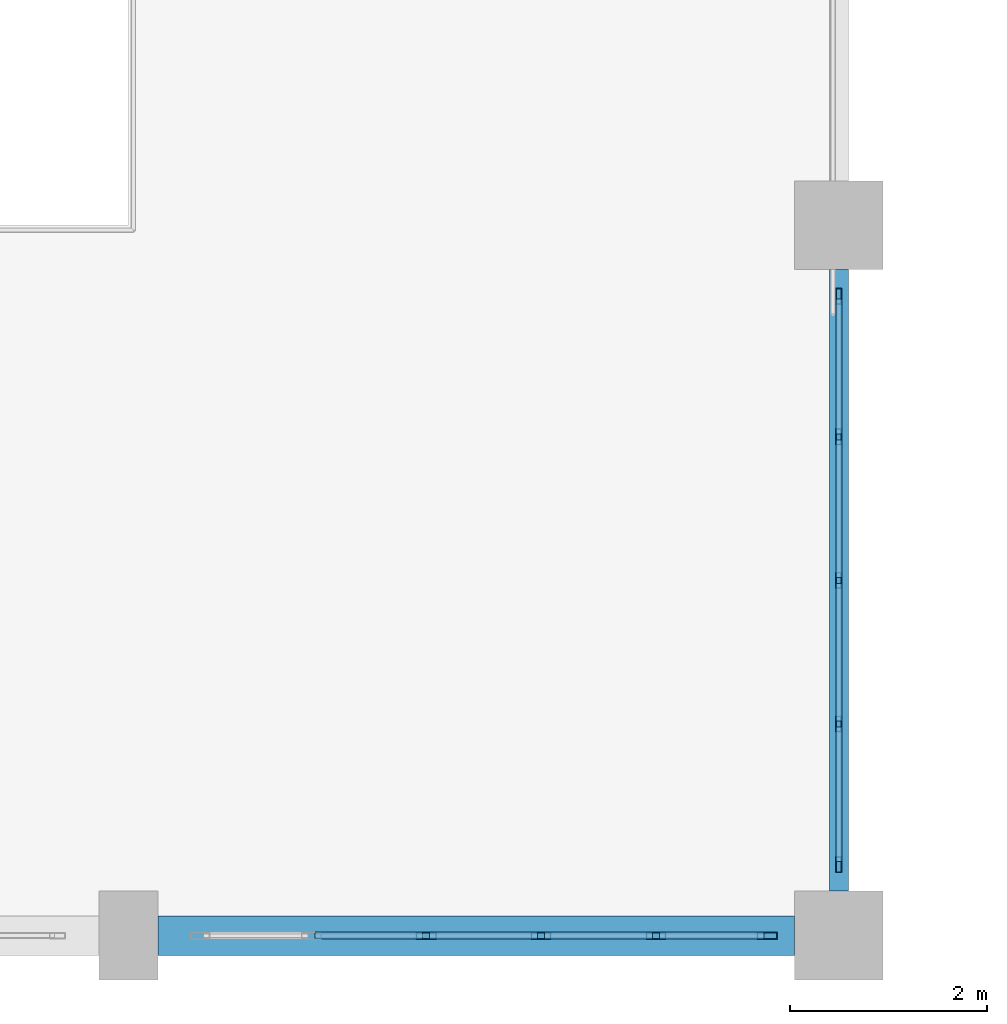
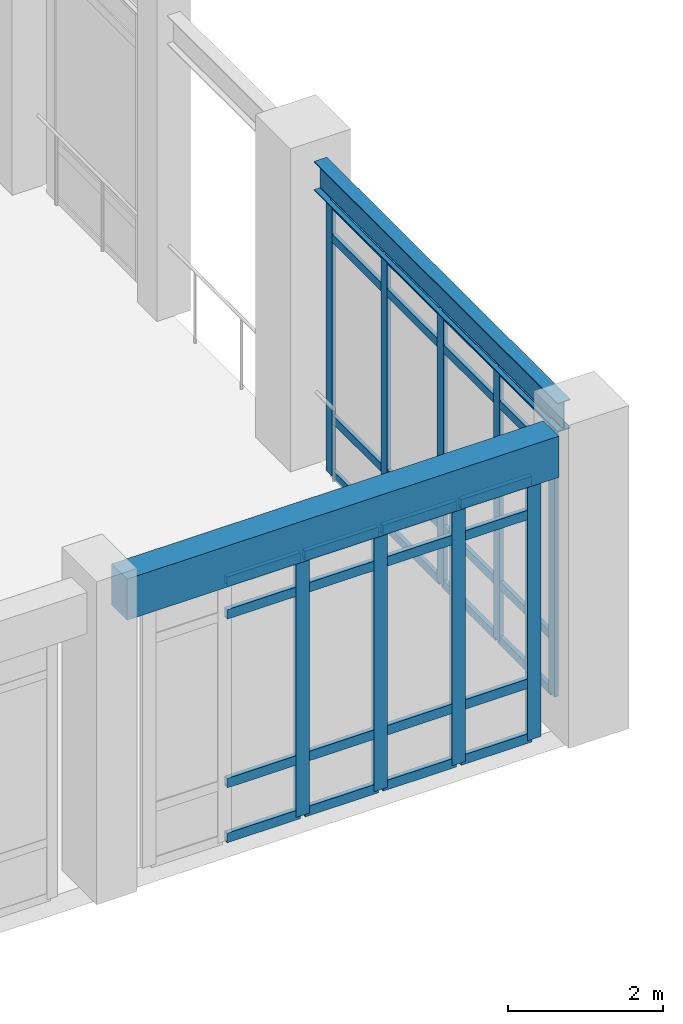
# One storey, part 17 of 117: 41 members, 2 beams, 2 elements without a shape of their own.
"""IFC4 building model written with IfcOpenShell, lengths in metres."""

from ifc_helpers import new_model, si_unit, direction, frame, origin, origin_2d, place, context, subcontext, project, spatial, rectangle, hollow_rectangle, i_section, extrude, material, layer, layer_set, material_profile, profile_set, type_object, element, aggregate, save


model = new_model("IFC4")

# Units and contexts
model_context = context("Model", 3, precision=1e-05, world=origin(), true_north=direction((0.0, 1.0)))
body_context = subcontext(model_context, "Body", "Model", "MODEL_VIEW")
ifc_project = project(units=[si_unit("LENGTHUNIT", "METRE"), si_unit("AREAUNIT", "SQUARE_METRE"), si_unit("VOLUMEUNIT", "CUBIC_METRE"), si_unit("PLANEANGLEUNIT", "RADIAN"), si_unit("MASSUNIT", "GRAM", prefix="KILO")], contexts=[model_context])

# Site, building, storey
site_placement = place(None, origin())
site = spatial("IfcSite", under=ifc_project, at=site_placement, CompositionType="ELEMENT")
building_placement = place(site_placement, origin())
building = spatial("IfcBuilding", under=site, at=building_placement, Name="Carrowvane Square Congress Hotel", CompositionType="ELEMENT")
storey_placement = place(building_placement, frame((0.0, 0.0, 5.39990234375)))
storey = spatial("IfcBuildingStorey", under=building, at=storey_placement, Name="L01", CompositionType="ELEMENT", Elevation=5.39990234375)

# Beam
ifc_material_1 = material(Name="Steel S355", Category="steel")
ifc_material_profile_1 = material_profile(ifc_material_1, i_section(OverallWidth=0.19140625, OverallDepth=0.4599609375, WebThickness=0.010009765625, FlangeThickness=0.01611328125, FilletRadius=0.01025390625, at=origin_2d()), Name="UKB 457x191x82")
ifc_profile_set_1 = profile_set([ifc_material_profile_1], Name="Steel S355")
beam_type_1 = type_object("IfcBeamType", Name="BM-ST-UKB457", PredefinedType="SPANDREL", material=ifc_profile_set_1)
beam_1_placement = place(storey_placement, frame((62.0, 5.85009765625, 4.550048828125), z_axis=(0.0, 1.0, 0.0), x_axis=(-1.0, 0.0, 0.0)))
element("IfcBeam", 1, at=beam_1_placement, inside=storey, type_object=beam_type_1, Name="L02 girder 8/A-B", PredefinedType="SPANDREL", context=body_context, shape_type="SweptSolid", body=[
    extrude(i_section(OverallWidth=0.19140625, OverallDepth=0.4599609375, WebThickness=0.010009765625, FlangeThickness=0.01611328125, FilletRadius=0.01025390625, at=origin_2d()), origin(), (0.0, 0.0, 1.0), 6.2998046875),
])

# Curtain wall, members
ifc_material_2 = material(Name="Anodised aluminium", Category="aluminium")
ifc_layer_1 = layer(ifc_material_2, 0.23388671875)
ifc_layer_set_1 = layer_set([ifc_layer_1], Name="Anodised aluminium")
curtain_wall_type_1 = type_object("IfcCurtainWallType", Name="CW-SYS-7", PredefinedType="NOTDEFINED", material=ifc_layer_set_1)
curtain_wall_1_placement = place(storey_placement, origin())
curtain_wall_1 = element("IfcCurtainWall", 2, at=curtain_wall_1_placement, inside=storey, type_object=curtain_wall_type_1, Name="L01 unitised curtain wall 126", PredefinedType="NOTDEFINED")
ifc_material_3 = material(Name="Anodised aluminium", Category="aluminium")
ifc_material_profile_2 = material_profile(ifc_material_3, hollow_rectangle(XDim=0.06005859375, YDim=0.159912109375, WallThickness=0.00390625, at=origin_2d()), Name="CW-ML 60x160x4")
ifc_profile_set_2 = profile_set([ifc_material_profile_2], Name="Anodised aluminium")
member_type_1 = type_object("IfcMemberType", Name="CW-MUL-1", PredefinedType="MULLION", material=ifc_profile_set_2)
member_1_placement = place(storey_placement, frame((62.0, 11.8798828125, 0.0), z_axis=(0.0, 0.0, 1.0), x_axis=(1.0, 0.0, 0.0)))
member_1 = element("IfcMember", 3, at=member_1_placement, type_object=member_type_1, Name="CW-7 mullion 1", PredefinedType="MULLION", context=body_context, shape_type="SweptSolid", body=[
    extrude(hollow_rectangle(XDim=0.06005859375, YDim=0.159912109375, WallThickness=0.00390625, at=origin_2d()), origin(), (0.0, 0.0, 1.0), 4.30517578125),
])
member_2_placement = place(storey_placement, frame((62.0, 10.455078125, 0.0), z_axis=(0.0, 0.0, 1.0), x_axis=(1.0, 0.0, 0.0)))
member_2 = element("IfcMember", 4, at=member_2_placement, type_object=member_type_1, Name="CW-7 mullion 2", PredefinedType="MULLION", context=body_context, shape_type="SweptSolid", body=[
    extrude(hollow_rectangle(XDim=0.06005859375, YDim=0.159912109375, WallThickness=0.00390625, at=origin_2d()), origin(), (0.0, 0.0, 1.0), 4.30517578125),
])
member_3_placement = place(storey_placement, frame((62.0, 9.0, 0.0), z_axis=(0.0, 0.0, 1.0), x_axis=(1.0, 0.0, 0.0)))
member_3 = element("IfcMember", 5, at=member_3_placement, type_object=member_type_1, Name="CW-7 mullion 3", PredefinedType="MULLION", context=body_context, shape_type="SweptSolid", body=[
    extrude(hollow_rectangle(XDim=0.06005859375, YDim=0.159912109375, WallThickness=0.00390625, at=origin_2d()), origin(), (0.0, 0.0, 1.0), 4.30517578125),
])
member_4_placement = place(storey_placement, frame((62.0, 7.544921875, 0.0), z_axis=(0.0, 0.0, 1.0), x_axis=(1.0, 0.0, 0.0)))
member_4 = element("IfcMember", 6, at=member_4_placement, type_object=member_type_1, Name="CW-7 mullion 4", PredefinedType="MULLION", context=body_context, shape_type="SweptSolid", body=[
    extrude(hollow_rectangle(XDim=0.06005859375, YDim=0.159912109375, WallThickness=0.00390625, at=origin_2d()), origin(), (0.0, 0.0, 1.0), 4.30517578125),
])
member_5_placement = place(storey_placement, frame((62.0, 6.1201171875, 0.0), z_axis=(0.0, 0.0, 1.0), x_axis=(1.0, 0.0, 0.0)))
member_5 = element("IfcMember", 7, at=member_5_placement, type_object=member_type_1, Name="CW-7 mullion 5", PredefinedType="MULLION", context=body_context, shape_type="SweptSolid", body=[
    extrude(hollow_rectangle(XDim=0.06005859375, YDim=0.159912109375, WallThickness=0.00390625, at=origin_2d()), origin(), (0.0, 0.0, 1.0), 4.30517578125),
])

ifc_material_4 = material(Name="Anodised aluminium", Category="aluminium")
ifc_layer_2 = layer(ifc_material_4, 0.24609375)
ifc_layer_set_2 = layer_set([ifc_layer_2], Name="Anodised aluminium")
curtain_wall_type_2 = type_object("IfcCurtainWallType", Name="CW-SYS-8", PredefinedType="NOTDEFINED", material=ifc_layer_set_2)
curtain_wall_2_placement = place(storey_placement, origin())
curtain_wall_2 = element("IfcCurtainWall", 8, at=curtain_wall_2_placement, inside=storey, type_object=curtain_wall_type_2, Name="L01 unitised curtain wall 127", PredefinedType="NOTDEFINED")
ifc_material_5 = material(Name="Anodised aluminium", Category="aluminium")
ifc_material_profile_3 = material_profile(ifc_material_5, hollow_rectangle(XDim=0.070068359375, YDim=0.199951171875, WallThickness=0.0048828125, at=origin_2d()), Name="CW-ML 70x200x5")
ifc_profile_set_3 = profile_set([ifc_material_profile_3], Name="Anodised aluminium")
member_type_2 = type_object("IfcMemberType", Name="CW-MUL-2", PredefinedType="MULLION", material=ifc_profile_set_3)
member_6_placement = place(storey_placement, frame((61.27490234375, 5.39990234375, 0.0), z_axis=(0.0, 0.0, 1.0), x_axis=(0.0, -1.0, 0.0)))
member_6 = element("IfcMember", 9, at=member_6_placement, type_object=member_type_2, Name="CW-8 mullion 1", PredefinedType="MULLION", context=body_context, shape_type="SweptSolid", body=[
    extrude(hollow_rectangle(XDim=0.070068359375, YDim=0.199951171875, WallThickness=0.0048828125, at=origin_2d()), origin(), (0.0, 0.0, 1.0), 4.114990234375),
])
member_7_placement = place(storey_placement, frame((60.14599609375, 5.39990234375, 0.0), z_axis=(0.0, 0.0, 1.0), x_axis=(0.0, -1.0, 0.0)))
member_7 = element("IfcMember", 10, at=member_7_placement, type_object=member_type_2, Name="CW-8 mullion 2", PredefinedType="MULLION", context=body_context, shape_type="SweptSolid", body=[
    extrude(hollow_rectangle(XDim=0.070068359375, YDim=0.199951171875, WallThickness=0.0048828125, at=origin_2d()), origin(), (0.0, 0.0, 1.0), 4.114990234375),
])
member_8_placement = place(storey_placement, frame((58.98193359375, 5.39990234375, 0.0), z_axis=(0.0, 0.0, 1.0), x_axis=(0.0, -1.0, 0.0)))
member_8 = element("IfcMember", 11, at=member_8_placement, type_object=member_type_2, Name="CW-8 mullion 3", PredefinedType="MULLION", context=body_context, shape_type="SweptSolid", body=[
    extrude(hollow_rectangle(XDim=0.070068359375, YDim=0.199951171875, WallThickness=0.0048828125, at=origin_2d()), origin(), (0.0, 0.0, 1.0), 4.114990234375),
])
member_9_placement = place(storey_placement, frame((57.818115234375, 5.39990234375, 0.0), z_axis=(0.0, 0.0, 1.0), x_axis=(0.0, -1.0, 0.0)))
member_9 = element("IfcMember", 12, at=member_9_placement, type_object=member_type_2, Name="CW-8 mullion 4", PredefinedType="MULLION", context=body_context, shape_type="SweptSolid", body=[
    extrude(hollow_rectangle(XDim=0.070068359375, YDim=0.199951171875, WallThickness=0.0048828125, at=origin_2d()), origin(), (0.0, 0.0, 1.0), 4.114990234375),
])

# Member
ifc_material_6 = material(Name="Anodised aluminium", Category="aluminium")
ifc_material_profile_4 = material_profile(ifc_material_6, hollow_rectangle(XDim=0.06005859375, YDim=0.1298828125, WallThickness=0.00390625, at=origin_2d()), Name="CW-TR 60x130x4")
ifc_profile_set_4 = profile_set([ifc_material_profile_4], Name="Anodised aluminium")
member_type_3 = type_object("IfcMemberType", Name="CW-TRN-1", PredefinedType="USERDEFINED", material=ifc_profile_set_4)
member_10_placement = place(storey_placement, frame((62.0, 11.85009765625, 0.030029296875), z_axis=(0.0, -1.0, 0.0), x_axis=(1.0, 0.0, 0.0)))
member_10 = element("IfcMember", 13, at=member_10_placement, type_object=member_type_3, Name="CW-7 transom 1.1", ObjectType="TRANSOM", PredefinedType="USERDEFINED", context=body_context, shape_type="SweptSolid", body=[
    extrude(hollow_rectangle(XDim=0.06005859375, YDim=0.1298828125, WallThickness=0.00390625, at=origin_2d()), origin(), (0.0, 0.0, 1.0), 1.364990234375),
])

member_11_placement = place(storey_placement, frame((62.0, 11.85009765625, 0.900146484375), z_axis=(0.0, -1.0, 0.0), x_axis=(1.0, 0.0, 0.0)))
member_11 = element("IfcMember", 14, at=member_11_placement, type_object=member_type_3, Name="CW-7 transom 1.2", ObjectType="TRANSOM", PredefinedType="USERDEFINED", context=body_context, shape_type="SweptSolid", body=[
    extrude(hollow_rectangle(XDim=0.06005859375, YDim=0.1298828125, WallThickness=0.00390625, at=origin_2d()), origin(), (0.0, 0.0, 1.0), 1.364990234375),
])

member_12_placement = place(storey_placement, frame((62.0, 11.85009765625, 3.755126953125), z_axis=(0.0, -1.0, 0.0), x_axis=(1.0, 0.0, 0.0)))
member_12 = element("IfcMember", 15, at=member_12_placement, type_object=member_type_3, Name="CW-7 transom 1.3", ObjectType="TRANSOM", PredefinedType="USERDEFINED", context=body_context, shape_type="SweptSolid", body=[
    extrude(hollow_rectangle(XDim=0.06005859375, YDim=0.1298828125, WallThickness=0.00390625, at=origin_2d()), origin(), (0.0, 0.0, 1.0), 1.364990234375),
])

member_13_placement = place(storey_placement, frame((62.0, 11.85009765625, 4.275146484375), z_axis=(0.0, -1.0, 0.0), x_axis=(1.0, 0.0, 0.0)))
member_13 = element("IfcMember", 16, at=member_13_placement, type_object=member_type_3, Name="CW-7 transom 1.4", ObjectType="TRANSOM", PredefinedType="USERDEFINED", context=body_context, shape_type="SweptSolid", body=[
    extrude(hollow_rectangle(XDim=0.06005859375, YDim=0.1298828125, WallThickness=0.00390625, at=origin_2d()), origin(), (0.0, 0.0, 1.0), 1.364990234375),
])

member_14_placement = place(storey_placement, frame((62.0, 10.425048828125, 0.030029296875), z_axis=(0.0, -1.0, 0.0), x_axis=(1.0, 0.0, 0.0)))
member_14 = element("IfcMember", 17, at=member_14_placement, type_object=member_type_3, Name="CW-7 transom 2.1", ObjectType="TRANSOM", PredefinedType="USERDEFINED", context=body_context, shape_type="SweptSolid", body=[
    extrude(hollow_rectangle(XDim=0.06005859375, YDim=0.1298828125, WallThickness=0.00390625, at=origin_2d()), origin(), (0.0, 0.0, 1.0), 1.39501953125),
])

member_15_placement = place(storey_placement, frame((62.0, 10.425048828125, 0.900146484375), z_axis=(0.0, -1.0, 0.0), x_axis=(1.0, 0.0, 0.0)))
member_15 = element("IfcMember", 18, at=member_15_placement, type_object=member_type_3, Name="CW-7 transom 2.2", ObjectType="TRANSOM", PredefinedType="USERDEFINED", context=body_context, shape_type="SweptSolid", body=[
    extrude(hollow_rectangle(XDim=0.06005859375, YDim=0.1298828125, WallThickness=0.00390625, at=origin_2d()), origin(), (0.0, 0.0, 1.0), 1.39501953125),
])

member_16_placement = place(storey_placement, frame((62.0, 10.425048828125, 3.755126953125), z_axis=(0.0, -1.0, 0.0), x_axis=(1.0, 0.0, 0.0)))
member_16 = element("IfcMember", 19, at=member_16_placement, type_object=member_type_3, Name="CW-7 transom 2.3", ObjectType="TRANSOM", PredefinedType="USERDEFINED", context=body_context, shape_type="SweptSolid", body=[
    extrude(hollow_rectangle(XDim=0.06005859375, YDim=0.1298828125, WallThickness=0.00390625, at=origin_2d()), origin(), (0.0, 0.0, 1.0), 1.39501953125),
])

member_17_placement = place(storey_placement, frame((62.0, 10.425048828125, 4.275146484375), z_axis=(0.0, -1.0, 0.0), x_axis=(1.0, 0.0, 0.0)))
member_17 = element("IfcMember", 20, at=member_17_placement, type_object=member_type_3, Name="CW-7 transom 2.4", ObjectType="TRANSOM", PredefinedType="USERDEFINED", context=body_context, shape_type="SweptSolid", body=[
    extrude(hollow_rectangle(XDim=0.06005859375, YDim=0.1298828125, WallThickness=0.00390625, at=origin_2d()), origin(), (0.0, 0.0, 1.0), 1.39501953125),
])

member_18_placement = place(storey_placement, frame((62.0, 8.969970703125, 0.030029296875), z_axis=(0.0, -1.0, 0.0), x_axis=(1.0, 0.0, 0.0)))
member_18 = element("IfcMember", 21, at=member_18_placement, type_object=member_type_3, Name="CW-7 transom 3.1", ObjectType="TRANSOM", PredefinedType="USERDEFINED", context=body_context, shape_type="SweptSolid", body=[
    extrude(hollow_rectangle(XDim=0.06005859375, YDim=0.1298828125, WallThickness=0.00390625, at=origin_2d()), origin(), (0.0, 0.0, 1.0), 1.39501953125),
])

member_19_placement = place(storey_placement, frame((62.0, 8.969970703125, 0.900146484375), z_axis=(0.0, -1.0, 0.0), x_axis=(1.0, 0.0, 0.0)))
member_19 = element("IfcMember", 22, at=member_19_placement, type_object=member_type_3, Name="CW-7 transom 3.2", ObjectType="TRANSOM", PredefinedType="USERDEFINED", context=body_context, shape_type="SweptSolid", body=[
    extrude(hollow_rectangle(XDim=0.06005859375, YDim=0.1298828125, WallThickness=0.00390625, at=origin_2d()), origin(), (0.0, 0.0, 1.0), 1.39501953125),
])

member_20_placement = place(storey_placement, frame((62.0, 8.969970703125, 3.755126953125), z_axis=(0.0, -1.0, 0.0), x_axis=(1.0, 0.0, 0.0)))
member_20 = element("IfcMember", 23, at=member_20_placement, type_object=member_type_3, Name="CW-7 transom 3.3", ObjectType="TRANSOM", PredefinedType="USERDEFINED", context=body_context, shape_type="SweptSolid", body=[
    extrude(hollow_rectangle(XDim=0.06005859375, YDim=0.1298828125, WallThickness=0.00390625, at=origin_2d()), origin(), (0.0, 0.0, 1.0), 1.39501953125),
])

member_21_placement = place(storey_placement, frame((62.0, 8.969970703125, 4.275146484375), z_axis=(0.0, -1.0, 0.0), x_axis=(1.0, 0.0, 0.0)))
member_21 = element("IfcMember", 24, at=member_21_placement, type_object=member_type_3, Name="CW-7 transom 3.4", ObjectType="TRANSOM", PredefinedType="USERDEFINED", context=body_context, shape_type="SweptSolid", body=[
    extrude(hollow_rectangle(XDim=0.06005859375, YDim=0.1298828125, WallThickness=0.00390625, at=origin_2d()), origin(), (0.0, 0.0, 1.0), 1.39501953125),
])

member_22_placement = place(storey_placement, frame((62.0, 7.514892578125, 0.030029296875), z_axis=(0.0, -1.0, 0.0), x_axis=(1.0, 0.0, 0.0)))
member_22 = element("IfcMember", 25, at=member_22_placement, type_object=member_type_3, Name="CW-7 transom 4.1", ObjectType="TRANSOM", PredefinedType="USERDEFINED", context=body_context, shape_type="SweptSolid", body=[
    extrude(hollow_rectangle(XDim=0.06005859375, YDim=0.1298828125, WallThickness=0.00390625, at=origin_2d()), origin(), (0.0, 0.0, 1.0), 1.364990234375),
])

member_23_placement = place(storey_placement, frame((62.0, 7.514892578125, 0.900146484375), z_axis=(0.0, -1.0, 0.0), x_axis=(1.0, 0.0, 0.0)))
member_23 = element("IfcMember", 26, at=member_23_placement, type_object=member_type_3, Name="CW-7 transom 4.2", ObjectType="TRANSOM", PredefinedType="USERDEFINED", context=body_context, shape_type="SweptSolid", body=[
    extrude(hollow_rectangle(XDim=0.06005859375, YDim=0.1298828125, WallThickness=0.00390625, at=origin_2d()), origin(), (0.0, 0.0, 1.0), 1.364990234375),
])

member_24_placement = place(storey_placement, frame((62.0, 7.514892578125, 3.755126953125), z_axis=(0.0, -1.0, 0.0), x_axis=(1.0, 0.0, 0.0)))
member_24 = element("IfcMember", 27, at=member_24_placement, type_object=member_type_3, Name="CW-7 transom 4.3", ObjectType="TRANSOM", PredefinedType="USERDEFINED", context=body_context, shape_type="SweptSolid", body=[
    extrude(hollow_rectangle(XDim=0.06005859375, YDim=0.1298828125, WallThickness=0.00390625, at=origin_2d()), origin(), (0.0, 0.0, 1.0), 1.364990234375),
])

member_25_placement = place(storey_placement, frame((62.0, 7.514892578125, 4.275146484375), z_axis=(0.0, -1.0, 0.0), x_axis=(1.0, 0.0, 0.0)))
member_25 = element("IfcMember", 28, at=member_25_placement, type_object=member_type_3, Name="CW-7 transom 4.4", ObjectType="TRANSOM", PredefinedType="USERDEFINED", context=body_context, shape_type="SweptSolid", body=[
    extrude(hollow_rectangle(XDim=0.06005859375, YDim=0.1298828125, WallThickness=0.00390625, at=origin_2d()), origin(), (0.0, 0.0, 1.0), 1.364990234375),
])

aggregate(curtain_wall_1, [member_1, member_2, member_3, member_4, member_5, member_10, member_11, member_12, member_13, member_14, member_15, member_16, member_17, member_18, member_19, member_20, member_21, member_22, member_23, member_24, member_25])

ifc_material_7 = material(Name="Anodised aluminium", Category="aluminium")
ifc_material_profile_5 = material_profile(ifc_material_7, hollow_rectangle(XDim=0.070068359375, YDim=0.14990234375, WallThickness=0.0048828125, at=origin_2d()), Name="CW-TR 70x150x5")
ifc_profile_set_5 = profile_set([ifc_material_profile_5], Name="Anodised aluminium")
member_type_4 = type_object("IfcMemberType", Name="CW-TRN-2", PredefinedType="USERDEFINED", material=ifc_profile_set_5)
member_26_placement = place(storey_placement, frame((61.239990234375, 5.39990234375, 0.03515625), z_axis=(-1.0, 0.0, 0.0), x_axis=(0.0, -1.0, 0.0)))
member_26 = element("IfcMember", 29, at=member_26_placement, type_object=member_type_4, Name="CW-8 transom 1.1", ObjectType="TRANSOM", PredefinedType="USERDEFINED", context=body_context, shape_type="SweptSolid", body=[
    extrude(hollow_rectangle(XDim=0.070068359375, YDim=0.14990234375, WallThickness=0.0048828125, at=origin_2d()), origin(), (0.0, 0.0, 1.0), 1.05908203125),
])

member_27_placement = place(storey_placement, frame((61.239990234375, 5.39990234375, 0.900146484375), z_axis=(-1.0, 0.0, 0.0), x_axis=(0.0, -1.0, 0.0)))
member_27 = element("IfcMember", 30, at=member_27_placement, type_object=member_type_4, Name="CW-8 transom 1.2", ObjectType="TRANSOM", PredefinedType="USERDEFINED", context=body_context, shape_type="SweptSolid", body=[
    extrude(hollow_rectangle(XDim=0.070068359375, YDim=0.14990234375, WallThickness=0.0048828125, at=origin_2d()), origin(), (0.0, 0.0, 1.0), 1.05908203125),
])

member_28_placement = place(storey_placement, frame((61.239990234375, 5.39990234375, 3.565185546875), z_axis=(-1.0, 0.0, 0.0), x_axis=(0.0, -1.0, 0.0)))
member_28 = element("IfcMember", 31, at=member_28_placement, type_object=member_type_4, Name="CW-8 transom 1.3", ObjectType="TRANSOM", PredefinedType="USERDEFINED", context=body_context, shape_type="SweptSolid", body=[
    extrude(hollow_rectangle(XDim=0.070068359375, YDim=0.14990234375, WallThickness=0.0048828125, at=origin_2d()), origin(), (0.0, 0.0, 1.0), 1.05908203125),
])

member_29_placement = place(storey_placement, frame((61.239990234375, 5.39990234375, 4.080078125), z_axis=(-1.0, 0.0, 0.0), x_axis=(0.0, -1.0, 0.0)))
member_29 = element("IfcMember", 32, at=member_29_placement, type_object=member_type_4, Name="CW-8 transom 1.4", ObjectType="TRANSOM", PredefinedType="USERDEFINED", context=body_context, shape_type="SweptSolid", body=[
    extrude(hollow_rectangle(XDim=0.070068359375, YDim=0.14990234375, WallThickness=0.0048828125, at=origin_2d()), origin(), (0.0, 0.0, 1.0), 1.05908203125),
])

member_30_placement = place(storey_placement, frame((60.111083984375, 5.39990234375, 0.03515625), z_axis=(-1.0, 0.0, 0.0), x_axis=(0.0, -1.0, 0.0)))
member_30 = element("IfcMember", 33, at=member_30_placement, type_object=member_type_4, Name="CW-8 transom 2.1", ObjectType="TRANSOM", PredefinedType="USERDEFINED", context=body_context, shape_type="SweptSolid", body=[
    extrude(hollow_rectangle(XDim=0.070068359375, YDim=0.14990234375, WallThickness=0.0048828125, at=origin_2d()), origin(), (0.0, 0.0, 1.0), 1.093994140625),
])

member_31_placement = place(storey_placement, frame((60.111083984375, 5.39990234375, 0.900146484375), z_axis=(-1.0, 0.0, 0.0), x_axis=(0.0, -1.0, 0.0)))
member_31 = element("IfcMember", 34, at=member_31_placement, type_object=member_type_4, Name="CW-8 transom 2.2", ObjectType="TRANSOM", PredefinedType="USERDEFINED", context=body_context, shape_type="SweptSolid", body=[
    extrude(hollow_rectangle(XDim=0.070068359375, YDim=0.14990234375, WallThickness=0.0048828125, at=origin_2d()), origin(), (0.0, 0.0, 1.0), 1.093994140625),
])

member_32_placement = place(storey_placement, frame((60.111083984375, 5.39990234375, 3.565185546875), z_axis=(-1.0, 0.0, 0.0), x_axis=(0.0, -1.0, 0.0)))
member_32 = element("IfcMember", 35, at=member_32_placement, type_object=member_type_4, Name="CW-8 transom 2.3", ObjectType="TRANSOM", PredefinedType="USERDEFINED", context=body_context, shape_type="SweptSolid", body=[
    extrude(hollow_rectangle(XDim=0.070068359375, YDim=0.14990234375, WallThickness=0.0048828125, at=origin_2d()), origin(), (0.0, 0.0, 1.0), 1.093994140625),
])

member_33_placement = place(storey_placement, frame((60.111083984375, 5.39990234375, 4.080078125), z_axis=(-1.0, 0.0, 0.0), x_axis=(0.0, -1.0, 0.0)))
member_33 = element("IfcMember", 36, at=member_33_placement, type_object=member_type_4, Name="CW-8 transom 2.4", ObjectType="TRANSOM", PredefinedType="USERDEFINED", context=body_context, shape_type="SweptSolid", body=[
    extrude(hollow_rectangle(XDim=0.070068359375, YDim=0.14990234375, WallThickness=0.0048828125, at=origin_2d()), origin(), (0.0, 0.0, 1.0), 1.093994140625),
])

member_34_placement = place(storey_placement, frame((58.947021484375, 5.39990234375, 0.03515625), z_axis=(-1.0, 0.0, 0.0), x_axis=(0.0, -1.0, 0.0)))
member_34 = element("IfcMember", 37, at=member_34_placement, type_object=member_type_4, Name="CW-8 transom 3.1", ObjectType="TRANSOM", PredefinedType="USERDEFINED", context=body_context, shape_type="SweptSolid", body=[
    extrude(hollow_rectangle(XDim=0.070068359375, YDim=0.14990234375, WallThickness=0.0048828125, at=origin_2d()), origin(), (0.0, 0.0, 1.0), 1.093994140625),
])

member_35_placement = place(storey_placement, frame((58.947021484375, 5.39990234375, 0.900146484375), z_axis=(-1.0, 0.0, 0.0), x_axis=(0.0, -1.0, 0.0)))
member_35 = element("IfcMember", 38, at=member_35_placement, type_object=member_type_4, Name="CW-8 transom 3.2", ObjectType="TRANSOM", PredefinedType="USERDEFINED", context=body_context, shape_type="SweptSolid", body=[
    extrude(hollow_rectangle(XDim=0.070068359375, YDim=0.14990234375, WallThickness=0.0048828125, at=origin_2d()), origin(), (0.0, 0.0, 1.0), 1.093994140625),
])

member_36_placement = place(storey_placement, frame((58.947021484375, 5.39990234375, 3.565185546875), z_axis=(-1.0, 0.0, 0.0), x_axis=(0.0, -1.0, 0.0)))
member_36 = element("IfcMember", 39, at=member_36_placement, type_object=member_type_4, Name="CW-8 transom 3.3", ObjectType="TRANSOM", PredefinedType="USERDEFINED", context=body_context, shape_type="SweptSolid", body=[
    extrude(hollow_rectangle(XDim=0.070068359375, YDim=0.14990234375, WallThickness=0.0048828125, at=origin_2d()), origin(), (0.0, 0.0, 1.0), 1.093994140625),
])

member_37_placement = place(storey_placement, frame((58.947021484375, 5.39990234375, 4.080078125), z_axis=(-1.0, 0.0, 0.0), x_axis=(0.0, -1.0, 0.0)))
member_37 = element("IfcMember", 40, at=member_37_placement, type_object=member_type_4, Name="CW-8 transom 3.4", ObjectType="TRANSOM", PredefinedType="USERDEFINED", context=body_context, shape_type="SweptSolid", body=[
    extrude(hollow_rectangle(XDim=0.070068359375, YDim=0.14990234375, WallThickness=0.0048828125, at=origin_2d()), origin(), (0.0, 0.0, 1.0), 1.093994140625),
])

member_38_placement = place(storey_placement, frame((57.782958984375, 5.39990234375, 0.03515625), z_axis=(-1.0, 0.0, 0.0), x_axis=(0.0, -1.0, 0.0)))
member_38 = element("IfcMember", 41, at=member_38_placement, type_object=member_type_4, Name="CW-8 transom 4.1", ObjectType="TRANSOM", PredefinedType="USERDEFINED", context=body_context, shape_type="SweptSolid", body=[
    extrude(hollow_rectangle(XDim=0.070068359375, YDim=0.14990234375, WallThickness=0.0048828125, at=origin_2d()), origin(), (0.0, 0.0, 1.0), 1.093994140625),
])

member_39_placement = place(storey_placement, frame((57.782958984375, 5.39990234375, 0.900146484375), z_axis=(-1.0, 0.0, 0.0), x_axis=(0.0, -1.0, 0.0)))
member_39 = element("IfcMember", 42, at=member_39_placement, type_object=member_type_4, Name="CW-8 transom 4.2", ObjectType="TRANSOM", PredefinedType="USERDEFINED", context=body_context, shape_type="SweptSolid", body=[
    extrude(hollow_rectangle(XDim=0.070068359375, YDim=0.14990234375, WallThickness=0.0048828125, at=origin_2d()), origin(), (0.0, 0.0, 1.0), 1.093994140625),
])

member_40_placement = place(storey_placement, frame((57.782958984375, 5.39990234375, 3.565185546875), z_axis=(-1.0, 0.0, 0.0), x_axis=(0.0, -1.0, 0.0)))
member_40 = element("IfcMember", 43, at=member_40_placement, type_object=member_type_4, Name="CW-8 transom 4.3", ObjectType="TRANSOM", PredefinedType="USERDEFINED", context=body_context, shape_type="SweptSolid", body=[
    extrude(hollow_rectangle(XDim=0.070068359375, YDim=0.14990234375, WallThickness=0.0048828125, at=origin_2d()), origin(), (0.0, 0.0, 1.0), 1.093994140625),
])

member_41_placement = place(storey_placement, frame((57.782958984375, 5.39990234375, 4.080078125), z_axis=(-1.0, 0.0, 0.0), x_axis=(0.0, -1.0, 0.0)))
member_41 = element("IfcMember", 44, at=member_41_placement, type_object=member_type_4, Name="CW-8 transom 4.4", ObjectType="TRANSOM", PredefinedType="USERDEFINED", context=body_context, shape_type="SweptSolid", body=[
    extrude(hollow_rectangle(XDim=0.070068359375, YDim=0.14990234375, WallThickness=0.0048828125, at=origin_2d()), origin(), (0.0, 0.0, 1.0), 1.093994140625),
])

aggregate(curtain_wall_2, [member_6, member_7, member_8, member_9, member_26, member_27, member_28, member_29, member_30, member_31, member_32, member_33, member_34, member_35, member_36, member_37, member_38, member_39, member_40, member_41])

# Beam
ifc_material_8 = material(Name="Concrete C35/45", Category="concrete")
ifc_material_profile_6 = material_profile(ifc_material_8, rectangle(XDim=0.39990234375, YDim=0.64990234375, at=origin_2d()), Name="RC 400x650")
ifc_profile_set_6 = profile_set([ifc_material_profile_6], Name="Concrete C35/45")
beam_type_2 = type_object("IfcBeamType", Name="SP-RC-400x650", PredefinedType="SPANDREL", material=ifc_profile_set_6)
beam_2_placement = place(storey_placement, frame((55.10009765625, 5.39990234375, 4.455078125), z_axis=(1.0, 0.0, 0.0), x_axis=(0.0, 1.0, 0.0)))
element("IfcBeam", 45, at=beam_2_placement, inside=storey, type_object=beam_type_2, Name="L02 girder A/7-8", PredefinedType="SPANDREL", context=body_context, shape_type="SweptSolid", body=[
    extrude(rectangle(XDim=0.39990234375, YDim=0.64990234375, at=origin_2d()), origin(), (0.0, 0.0, 1.0), 6.449951171875),
])

save(model, "model.ifc")
